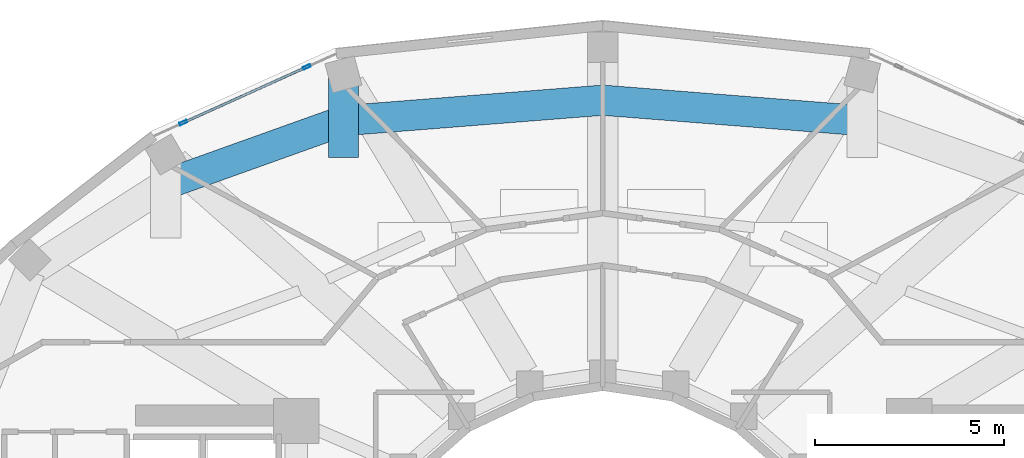
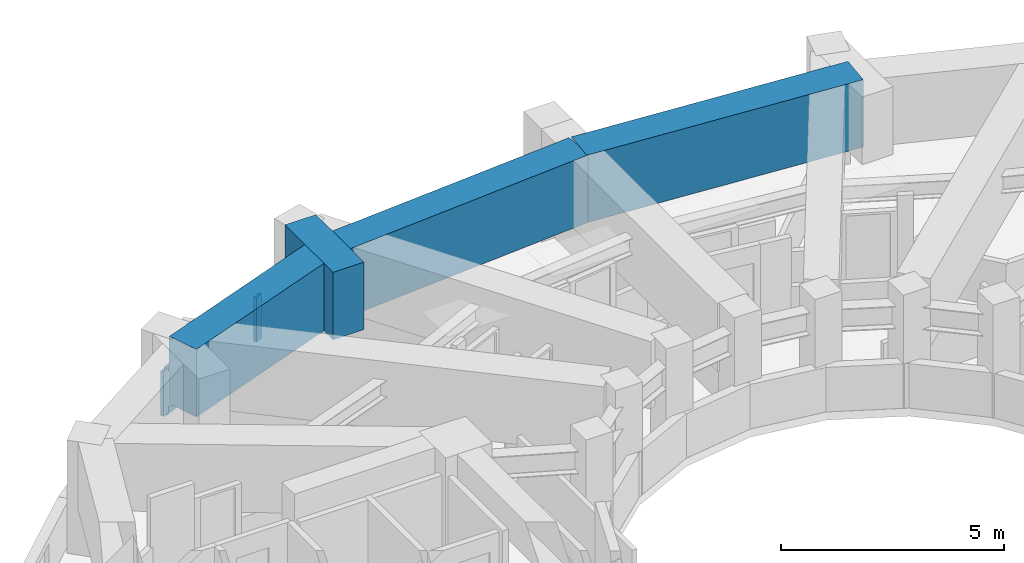
# One storey, part 8 of 17: 4 beams, 4 members, 1 element without a shape of its own.
"""IFC4 building model written with IfcOpenShell, lengths in metres."""

from ifc_helpers import new_model, si_unit, direction, frame, origin, origin_2d, place, context, subcontext, project, spatial, rectangle, hollow_rectangle, extrude, material, layer, layer_set, material_profile, profile_set, type_object, element, aggregate, save


model = new_model("IFC4")

# Units and contexts
model_context = context("Model", 3, precision=1e-05, world=origin(), true_north=direction((0.0, 1.0)))
body_context = subcontext(model_context, "Body", "Model", "MODEL_VIEW")
ifc_project = project(units=[si_unit("LENGTHUNIT", "METRE"), si_unit("AREAUNIT", "SQUARE_METRE"), si_unit("VOLUMEUNIT", "CUBIC_METRE"), si_unit("PLANEANGLEUNIT", "RADIAN"), si_unit("MASSUNIT", "GRAM", prefix="KILO")], contexts=[model_context])

# Site, building, storey
site_placement = place(None, origin())
site = spatial("IfcSite", under=ifc_project, at=site_placement, CompositionType="ELEMENT")
building_placement = place(site_placement, origin())
building = spatial("IfcBuilding", under=site, at=building_placement, Name="Solvane Sanctuary Tower", CompositionType="ELEMENT")
storey_placement = place(building_placement, frame((0.0, 0.0, 235.699951171875)))
storey = spatial("IfcBuildingStorey", under=building, at=storey_placement, Name="L72", CompositionType="ELEMENT", Elevation=235.699951171875)

# Beams
ifc_material_1 = material(Name="Concrete C70/85", Category="concrete")
ifc_material_profile_1 = material_profile(ifc_material_1, rectangle(XDim=0.800048828125, YDim=1.85009765625, at=origin_2d()), Name="RC800X1850")
ifc_profile_set_1 = profile_set([ifc_material_profile_1], Name="Concrete C70/85")
beam_type = type_object("IfcBeamType", Name="Beam B-XFER-BLK RC800X1850", PredefinedType="BEAM", material=ifc_profile_set_1)
beam_1_placement = place(storey_placement, frame((25.143798828125, 39.312255859375, 2.175048828125), z_axis=(0.0, -1.0, 0.0), x_axis=(1.0, 0.0, 0.0)))
element("IfcBeam", 1, at=beam_1_placement, inside=storey, type_object=beam_type, Name="L72 Block-Shift Transfer Tie 05B", PredefinedType="BEAM", context=body_context, shape_type="SweptSolid", body=[
    extrude(rectangle(XDim=0.800048828125, YDim=1.85009765625, at=origin_2d()), origin(), (0.0, 0.0, 1.0), 2.150146484375),
])
beam_2_placement = place(storey_placement, frame((20.44482421875, 36.45703125, 2.175048828125), z_axis=(0.941554720599, 0.336860072014, 0.0), x_axis=(-0.336860072014, 0.941554720599, 0.0)))
element("IfcBeam", 2, at=beam_2_placement, inside=storey, type_object=beam_type, Name="L72 Perimeter Step Transfer Ring NTC06-NTC05", PredefinedType="BEAM", context=body_context, shape_type="SweptSolid", body=[
    extrude(rectangle(XDim=0.800048828125, YDim=1.85009765625, at=origin_2d()), origin(), (0.0, 0.0, 1.0), 4.99072265625),
])
for number, where, z_axis, x_axis, name in (
    (3, (25.143798828125, 38.13818359375, 2.175048828125), (0.996892795984, 0.078770256536, 0.0), (-0.078770256536, 0.996892795984, 0.0), "L72 Perimeter Step Transfer Ring NTC05-NTC04"),
    (4, (32.0, 38.679931640625, 2.175048828125), (0.996892795984, -0.078770256536, 0.0), (0.078770256536, 0.996892795984, 0.0), "L72 Perimeter Step Transfer Ring NTC04-NTC03"),
):
    element("IfcBeam", number, at=place(storey_placement, frame(where, z_axis=z_axis, x_axis=x_axis)), inside=storey, type_object=beam_type, Name=name, PredefinedType="BEAM", context=body_context, shape_type="SweptSolid", body=[
        extrude(rectangle(XDim=0.800048828125, YDim=1.85009765625, at=origin_2d()), origin(), (0.0, 0.0, 1.0), 6.877685546875),
    ])

# Curtain wall, members
ifc_material_2 = material(Name="Anodised Aluminium 6063-T6", Category="aluminium")
ifc_layer = layer(ifc_material_2, 0.18994140625, Name="Anodised Aluminium 6063-T6")
ifc_layer_set = layer_set([ifc_layer], Name="Anodised Aluminium 6063-T6")
curtain_wall_type = type_object("IfcCurtainWallType", Name="Curtain Wall CW-OPER", PredefinedType="NOTDEFINED", material=ifc_layer_set)
curtain_wall_placement = place(storey_placement, origin())
curtain_wall = element("IfcCurtainWall", 5, at=curtain_wall_placement, inside=storey, type_object=curtain_wall_type, Name="L72 CW-OPER Facade Run 07", PredefinedType="NOTDEFINED")
ifc_material_profile_2 = material_profile(ifc_material_2, hollow_rectangle(XDim=0.074951171875, YDim=0.199951171875, WallThickness=0.00390625, at=origin_2d()), Name="ALU200X75X4")
ifc_profile_set_2 = profile_set([ifc_material_profile_2], Name="Anodised Aluminium 6063-T6")
member_type_1 = type_object("IfcMemberType", Name="Member M-CW-MUL-1 ALU200X75X4", PredefinedType="MULLION", material=ifc_profile_set_2)
member_1_placement = place(storey_placement, frame((24.175537109375, 39.55908203125, 0.0), z_axis=(0.0, 0.0, 1.0), x_axis=(0.411470931711, -0.911422883385, 0.0)))
member_1 = element("IfcMember", 6, at=member_1_placement, type_object=member_type_1, Name="CW-OPER mullion 1", PredefinedType="MULLION", context=body_context, shape_type="SweptSolid", body=[
    extrude(hollow_rectangle(XDim=0.074951171875, YDim=0.199951171875, WallThickness=0.00390625, at=origin_2d()), origin(), (0.0, 0.0, 1.0), 1.219970703125),
])
member_2_placement = place(storey_placement, frame((20.911376953125, 38.08544921875, 0.0), z_axis=(0.0, 0.0, 1.0), x_axis=(0.411470931711, -0.911422883385, 0.0)))
member_2 = element("IfcMember", 7, at=member_2_placement, type_object=member_type_1, Name="CW-OPER mullion 2", PredefinedType="MULLION", context=body_context, shape_type="SweptSolid", body=[
    extrude(hollow_rectangle(XDim=0.074951171875, YDim=0.199951171875, WallThickness=0.00390625, at=origin_2d()), origin(), (0.0, 0.0, 1.0), 1.219970703125),
])
ifc_material_profile_3 = material_profile(ifc_material_2, hollow_rectangle(XDim=0.06494140625, YDim=0.159912109375, WallThickness=0.00341796875, at=origin_2d()), Name="ALU160X65X3.5")
ifc_profile_set_3 = profile_set([ifc_material_profile_3], Name="Anodised Aluminium 6063-T6")
member_type_2 = type_object("IfcMemberType", Name="Member M-CW-TRN-1 ALU160X65X3.5", PredefinedType="USERDEFINED", material=ifc_profile_set_3)
member_3_placement = place(storey_placement, frame((24.141357421875, 39.54345703125, 0.032470703125), z_axis=(-0.911438831618, -0.411435603975, 0.0), x_axis=(0.411435603975, -0.911438831618, 0.0)))
member_3 = element("IfcMember", 8, at=member_3_placement, type_object=member_type_2, Name="CW-OPER transom 1.1", ObjectType="TRANSOM", PredefinedType="USERDEFINED", context=body_context, shape_type="SweptSolid", body=[
    extrude(hollow_rectangle(XDim=0.06494140625, YDim=0.159912109375, WallThickness=0.00341796875, at=origin_2d()), origin(), (0.0, 0.0, 1.0), 3.50634765625),
])
member_4_placement = place(storey_placement, frame((24.141357421875, 39.54345703125, 1.1875), z_axis=(-0.911438831618, -0.411435603975, 0.0), x_axis=(0.411435603975, -0.911438831618, 0.0)))
member_4 = element("IfcMember", 9, at=member_4_placement, type_object=member_type_2, Name="CW-OPER transom 1.2", ObjectType="TRANSOM", PredefinedType="USERDEFINED", context=body_context, shape_type="SweptSolid", body=[
    extrude(hollow_rectangle(XDim=0.06494140625, YDim=0.159912109375, WallThickness=0.00341796875, at=origin_2d()), origin(), (0.0, 0.0, 1.0), 3.50634765625),
])
aggregate(curtain_wall, [member_1, member_2, member_3, member_4])

save(model, "model.ifc")
